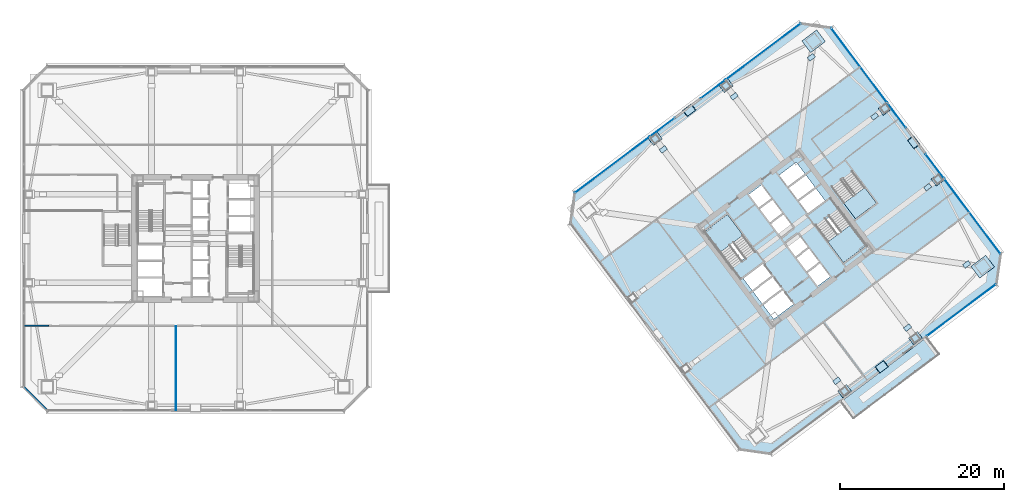
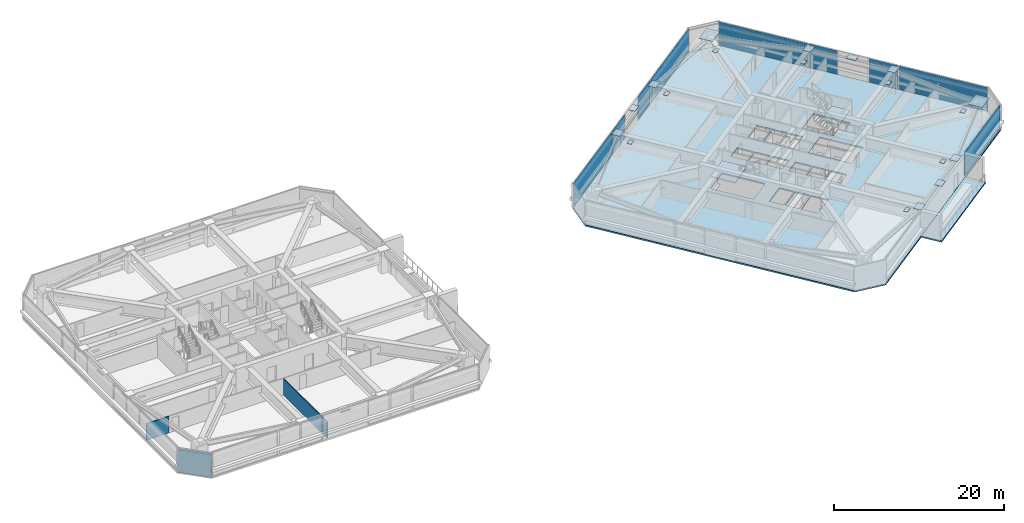
# One storey, part 37 of 49: 31 plates, 5 slabs, 3 walls, 12 elements without a shape of their own.
"""IFC4 building model written with IfcOpenShell, lengths in metres."""

from ifc_helpers import new_model, si_unit, direction, frame, frame_2d, origin, origin_2d, place, context, subcontext, project, spatial, polyline, rectangle, outline, extrude, material, layer, layer_set, type_object, element, aggregate, save


model = new_model("IFC4")

# Units and contexts
model_context = context("Model", 3, precision=1e-05, world=origin(), true_north=direction((0.0, 1.0)))
body_context = subcontext(model_context, "Body", "Model", "MODEL_VIEW")
ifc_project = project(units=[si_unit("LENGTHUNIT", "METRE"), si_unit("AREAUNIT", "SQUARE_METRE"), si_unit("VOLUMEUNIT", "CUBIC_METRE"), si_unit("PLANEANGLEUNIT", "RADIAN"), si_unit("MASSUNIT", "GRAM", prefix="KILO")], contexts=[model_context])

# Site, building, storey
site_placement = place(None, origin())
site = spatial("IfcSite", under=ifc_project, at=site_placement, CompositionType="ELEMENT")
building_placement = place(site_placement, origin())
building = spatial("IfcBuilding", under=site, at=building_placement, Name="Tashvorn Skyway Center", CompositionType="ELEMENT")
storey_placement = place(building_placement, frame((0.0, 0.0, 106.25)))
storey = spatial("IfcBuildingStorey", under=building, at=storey_placement, Name="L28", CompositionType="ELEMENT", Elevation=106.25)

# Curtain wall, plate
ifc_material_1 = material(Name="Thermally broken bronze-anodized aluminium 6063-T6", Category="aluminium")
curtain_wall_type = type_object("IfcCurtainWallType", Name="CW-CW-Z2", PredefinedType="NOTDEFINED", material=ifc_material_1)
curtain_wall_1_placement = place(storey_placement, origin())
curtain_wall_1 = element("IfcCurtainWall", 1, at=curtain_wall_1_placement, inside=storey, type_object=curtain_wall_type, Name="Tower 2 L28 South Curtain Wall L", PredefinedType="NOTDEFINED")
ifc_material_2 = material(Name="Low-E solar-control double insulating safety glass", Category="glass")
ifc_layer_1 = layer(ifc_material_2, 0.0439453125)
ifc_layer_set_1 = layer_set([ifc_layer_1], Name="Low-E solar-control double insulating safety glass")
plate_type_1 = type_object("IfcPlateType", Name="CWP-CW-Z2", PredefinedType="CURTAIN_PANEL", material=ifc_layer_set_1)
plate_1_placement = place(storey_placement, frame((135.47998046875, 23.260009765625, 0.080078125), z_axis=(0.0, 0.0, 1.0), x_axis=(-0.799999999998, -0.600000000002, 0.0)))
plate_1 = element("IfcPlate", 2, at=plate_1_placement, type_object=plate_type_1, Name="CW-Z2 panel 1.1", PredefinedType="CURTAIN_PANEL", context=body_context, shape_type="SweptSolid", body=[
    extrude(rectangle(XDim=10.52001953125, YDim=0.0439453125, at=origin_2d()), origin(), (0.0, 0.0, 1.0), 3.389892578125),
])
aggregate(curtain_wall_1, [plate_1])

curtain_wall_2_placement = place(storey_placement, origin())
curtain_wall_2 = element("IfcCurtainWall", 3, at=curtain_wall_2_placement, inside=storey, type_object=curtain_wall_type, Name="Tower 2 L28 North Unitised Curtain Wall Glazing Group 1", PredefinedType="NOTDEFINED")
plate_2_placement = place(storey_placement, frame((92.85595703125, 40.991943359375, 0.080078125), z_axis=(0.0, 0.0, 1.0), x_axis=(0.799999999998, 0.600000000002, 0.0)))
plate_2 = element("IfcPlate", 4, at=plate_2_placement, type_object=plate_type_1, Name="CW-Z2 panel 1.1", PredefinedType="CURTAIN_PANEL", context=body_context, shape_type="SweptSolid", body=[
    extrude(rectangle(XDim=11.360107421875, YDim=0.0439453125, at=origin_2d()), origin(), (0.0, 0.0, 1.0), 3.389892578125),
])
aggregate(curtain_wall_2, [plate_2])

curtain_wall_3_placement = place(storey_placement, origin())
curtain_wall_3 = element("IfcCurtainWall", 5, at=curtain_wall_3_placement, inside=storey, type_object=curtain_wall_type, Name="Tower 2 L28 North Unitised Curtain Wall Glazing Group 2", PredefinedType="NOTDEFINED")
plate_3_placement = place(storey_placement, frame((99.0, 45.60009765625, 0.080078125), z_axis=(0.0, 0.0, 1.0), x_axis=(0.799999999998, 0.600000000002, 0.0)))
plate_3 = element("IfcPlate", 6, at=plate_3_placement, type_object=plate_type_1, Name="CW-Z2 panel 1.1", PredefinedType="CURTAIN_PANEL", context=body_context, shape_type="SweptSolid", body=[
    extrude(rectangle(XDim=3.679931640625, YDim=0.0439453125, at=origin_2d()), origin(), (0.0, 0.0, 1.0), 3.389892578125),
])
aggregate(curtain_wall_3, [plate_3])

curtain_wall_4_placement = place(storey_placement, origin())
curtain_wall_4 = element("IfcCurtainWall", 7, at=curtain_wall_4_placement, inside=storey, type_object=curtain_wall_type, Name="Tower 2 L28 North Unitised Curtain Wall Glazing Group 3", PredefinedType="NOTDEFINED")
plate_4_placement = place(storey_placement, frame((105.14404296875, 50.2080078125, 0.080078125), z_axis=(0.0, 0.0, 1.0), x_axis=(0.799999999998, 0.600000000002, 0.0)))
plate_4 = element("IfcPlate", 8, at=plate_4_placement, type_object=plate_type_1, Name="CW-Z2 panel 1.1", PredefinedType="CURTAIN_PANEL", context=body_context, shape_type="SweptSolid", body=[
    extrude(rectangle(XDim=3.679931640625, YDim=0.0439453125, at=origin_2d()), origin(), (0.0, 0.0, 1.0), 3.389892578125),
])
aggregate(curtain_wall_4, [plate_4])

curtain_wall_5_placement = place(storey_placement, origin())
curtain_wall_5 = element("IfcCurtainWall", 9, at=curtain_wall_5_placement, inside=storey, type_object=curtain_wall_type, Name="Tower 2 L28 North Unitised Curtain Wall Glazing Group 4", PredefinedType="NOTDEFINED")
plate_5_placement = place(storey_placement, frame((111.2880859375, 54.81591796875, 0.080078125), z_axis=(0.0, 0.0, 1.0), x_axis=(0.799999999998, 0.600000000002, 0.0)))
plate_5 = element("IfcPlate", 10, at=plate_5_placement, type_object=plate_type_1, Name="CW-Z2 panel 1.1", PredefinedType="CURTAIN_PANEL", context=body_context, shape_type="SweptSolid", body=[
    extrude(rectangle(XDim=11.360107421875, YDim=0.0439453125, at=origin_2d()), origin(), (0.0, 0.0, 1.0), 3.389892578125),
])
aggregate(curtain_wall_5, [plate_5])

curtain_wall_6_placement = place(storey_placement, origin())
curtain_wall_6 = element("IfcCurtainWall", 11, at=curtain_wall_6_placement, inside=storey, type_object=curtain_wall_type, Name="Tower 2 L28 East Unitised Curtain Wall Glazing Group 1", PredefinedType="NOTDEFINED")
plate_6_placement = place(storey_placement, frame((122.991943359375, 53.14404296875, 0.080078125), z_axis=(0.0, 0.0, 1.0), x_axis=(0.600000000002, -0.799999999998, 0.0)))
plate_6 = element("IfcPlate", 12, at=plate_6_placement, type_object=plate_type_1, Name="CW-Z2 panel 1.1", PredefinedType="CURTAIN_PANEL", context=body_context, shape_type="SweptSolid", body=[
    extrude(rectangle(XDim=11.360107421875, YDim=0.0439453125, at=origin_2d()), origin(), (0.0, 0.0, 1.0), 3.389892578125),
])
aggregate(curtain_wall_6, [plate_6])

curtain_wall_7_placement = place(storey_placement, origin())
curtain_wall_7 = element("IfcCurtainWall", 13, at=curtain_wall_7_placement, inside=storey, type_object=curtain_wall_type, Name="Tower 2 L28 East Unitised Curtain Wall Glazing Group 2", PredefinedType="NOTDEFINED")
plate_7_placement = place(storey_placement, frame((127.60009765625, 47.0, 0.080078125), z_axis=(0.0, 0.0, 1.0), x_axis=(0.600000000002, -0.799999999998, 0.0)))
plate_7 = element("IfcPlate", 14, at=plate_7_placement, type_object=plate_type_1, Name="CW-Z2 panel 1.1", PredefinedType="CURTAIN_PANEL", context=body_context, shape_type="SweptSolid", body=[
    extrude(rectangle(XDim=3.679931640625, YDim=0.0439453125, at=origin_2d()), origin(), (0.0, 0.0, 1.0), 3.389892578125),
])
aggregate(curtain_wall_7, [plate_7])

curtain_wall_8_placement = place(storey_placement, origin())
curtain_wall_8 = element("IfcCurtainWall", 15, at=curtain_wall_8_placement, inside=storey, type_object=curtain_wall_type, Name="Tower 2 L28 East Unitised Curtain Wall Glazing Group 3", PredefinedType="NOTDEFINED")
plate_8_placement = place(storey_placement, frame((132.2080078125, 40.85595703125, 0.080078125), z_axis=(0.0, 0.0, 1.0), x_axis=(0.600000000002, -0.799999999998, 0.0)))
plate_8 = element("IfcPlate", 16, at=plate_8_placement, type_object=plate_type_1, Name="CW-Z2 panel 1.1", PredefinedType="CURTAIN_PANEL", context=body_context, shape_type="SweptSolid", body=[
    extrude(rectangle(XDim=3.679931640625, YDim=0.0439453125, at=origin_2d()), origin(), (0.0, 0.0, 1.0), 3.389892578125),
])
aggregate(curtain_wall_8, [plate_8])

curtain_wall_9_placement = place(storey_placement, origin())
curtain_wall_9 = element("IfcCurtainWall", 17, at=curtain_wall_9_placement, inside=storey, type_object=curtain_wall_type, Name="Tower 2 L28 East Unitised Curtain Wall Glazing Group 4", PredefinedType="NOTDEFINED")
plate_9_placement = place(storey_placement, frame((136.81591796875, 34.7119140625, 0.080078125), z_axis=(0.0, 0.0, 1.0), x_axis=(0.600000000002, -0.799999999998, 0.0)))
plate_9 = element("IfcPlate", 18, at=plate_9_placement, type_object=plate_type_1, Name="CW-Z2 panel 1.1", PredefinedType="CURTAIN_PANEL", context=body_context, shape_type="SweptSolid", body=[
    extrude(rectangle(XDim=11.360107421875, YDim=0.0439453125, at=origin_2d()), origin(), (0.0, 0.0, 1.0), 3.389892578125),
])
aggregate(curtain_wall_9, [plate_9])

# Plates
ifc_material_3 = material(Name="Steel ASTM A572 Grade 50", Category="steel")
ifc_layer_2 = layer(ifc_material_3, 0.034912109375)
ifc_layer_set_2 = layer_set([ifc_layer_2], Name="Steel ASTM A572 Grade 50")
plate_type_2 = type_object("IfcPlateType", Name="PLT-CAP-35", PredefinedType="USERDEFINED", material=ifc_layer_set_2)
for number, where, z_axis, x_axis, name in (
    (19, (125.748046875, 16.3359375, 3.2373046875), (0.0, 0.0, 1.0), (0.799999996291, 0.600000004945, 0.0), "Tower 2 Zone 2 S Hollow-Section End Cap Plate"),
    (20, (129.6640625, 43.748046875, 3.2373046875), (0.0, 0.0, 1.0), (-0.600000004945, 0.799999996291, 0.0), "Tower 2 Zone 2 E Hollow-Section End Cap Plate"),
    (21, (102.251953125, 47.6640625, 3.2373046875), (0.0, 0.0, 1.0), (-0.799999996291, -0.600000004945, 0.0), "Tower 2 Zone 2 N Hollow-Section End Cap Plate"),
):
    element("IfcPlate", number, at=place(storey_placement, frame(where, z_axis=z_axis, x_axis=x_axis)), inside=storey, type_object=plate_type_2, Name=name, ObjectType="END PLATE", PredefinedType="USERDEFINED", context=body_context, shape_type="SweptSolid", body=[
        extrude(rectangle(XDim=1.199951171875, YDim=0.919921875, at=origin_2d()), origin(), (0.0, 0.0, 1.0), 0.034912109375),
    ])
ifc_layer_3 = layer(ifc_material_3, 0.050048828125)
ifc_layer_set_3 = layer_set([ifc_layer_3], Name="Steel ASTM A572 Grade 50")
plate_type_3 = type_object("IfcPlateType", Name="PLT-ENDCAP-1650", PredefinedType="USERDEFINED", material=ifc_layer_set_3)
for number, where, z_axis, x_axis, name in (
    (22, (138.080078125, 28.56005859375, 3.23974609375), (0.0, 0.0, 1.0), (0.799999996291, 0.600000004945, 0.0), "Tower 2 L28 MC-SE Setback Cap End Plate"),
    (23, (117.43994140625, 56.080078125, 3.23974609375), (0.0, 0.0, 1.0), (0.799999996291, 0.600000004945, 0.0), "Tower 2 L28 MC-NE Setback Cap End Plate"),
):
    element("IfcPlate", number, at=place(storey_placement, frame(where, z_axis=z_axis, x_axis=x_axis)), inside=storey, type_object=plate_type_3, Name=name, ObjectType="END PLATE", PredefinedType="USERDEFINED", context=body_context, shape_type="SweptSolid", body=[
        extrude(rectangle(XDim=2.25, YDim=1.780029296875, at=origin_2d()), origin(), (0.0, 0.0, 1.0), 0.050048828125),
    ])
ifc_layer_4 = layer(ifc_material_3, 0.050048828125)
ifc_layer_set_4 = layer_set([ifc_layer_4], Name="Steel ASTM A572 Grade 50")
plate_type_4 = type_object("IfcPlateType", Name="PLT-ENDCAP-900", PredefinedType="USERDEFINED", material=ifc_layer_set_4)
for number, where, z_axis, x_axis, name in (
    (24, (121.22998046875, 13.360107421875, 3.23974609375), (0.0, 0.0, 1.0), (0.799999996291, 0.600000004945, 0.0), "Tower 2 L28 FC-S1 Setback Cap End Plate"),
    (25, (129.8701171875, 19.840087890625, 3.23974609375), (0.0, 0.0, 1.0), (0.799999996291, 0.600000004945, 0.0), "Tower 2 L28 FC-S2 Setback Cap End Plate"),
    (26, (132.639892578125, 39.22998046875, 3.23974609375), (0.0, 0.0, 1.0), (0.799999996291, 0.600000004945, 0.0), "Tower 2 L28 FC-E1 Setback Cap End Plate"),
    (27, (126.159912109375, 47.8701171875, 3.23974609375), (0.0, 0.0, 1.0), (0.799999996291, 0.600000004945, 0.0), "Tower 2 L28 FC-E2 Setback Cap End Plate"),
    (28, (106.77001953125, 50.639892578125, 3.23974609375), (0.0, 0.0, 1.0), (0.799999996291, 0.600000004945, 0.0), "Tower 2 L28 FC-N1 Setback Cap End Plate"),
    (29, (98.1298828125, 44.159912109375, 3.23974609375), (0.0, 0.0, 1.0), (0.799999996291, 0.600000004945, 0.0), "Tower 2 L28 FC-N2 Setback Cap End Plate"),
):
    element("IfcPlate", number, at=place(storey_placement, frame(where, z_axis=z_axis, x_axis=x_axis)), inside=storey, type_object=plate_type_4, Name=name, ObjectType="END PLATE", PredefinedType="USERDEFINED", context=body_context, shape_type="SweptSolid", body=[
        extrude(rectangle(XDim=1.35009765625, YDim=1.050048828125, at=origin_2d()), origin(), (0.0, 0.0, 1.0), 0.050048828125),
    ])
ifc_layer_5 = layer(ifc_material_3, 0.044921875)
ifc_layer_set_5 = layer_set([ifc_layer_5], Name="Steel ASTM A572 Grade 50")
plate_type_5 = type_object("IfcPlateType", Name="PLT-GUSSET-45", PredefinedType="USERDEFINED", material=ifc_layer_set_5)
for number, where, z_axis, x_axis, name in (
    (30, (125.748046875, 16.3359375, 3.192626953125), (0.0, 0.0, 1.0), (0.799999996291, 0.600000004945, 0.0), "Tower 2 Zone 2 S Apex Node Gusset Plate"),
    (31, (129.6640625, 43.748046875, 3.192626953125), (0.0, 0.0, 1.0), (-0.600000004945, 0.799999996291, 0.0), "Tower 2 Zone 2 E Apex Node Gusset Plate"),
    (32, (102.251953125, 47.6640625, 3.192626953125), (0.0, 0.0, 1.0), (-0.799999996291, -0.600000004945, 0.0), "Tower 2 Zone 2 N Apex Node Gusset Plate"),
):
    element("IfcPlate", number, at=place(storey_placement, frame(where, z_axis=z_axis, x_axis=x_axis)), inside=storey, type_object=plate_type_5, Name=name, ObjectType="GUSSET PLATE", PredefinedType="USERDEFINED", context=body_context, shape_type="SweptSolid", body=[
        extrude(rectangle(XDim=1.35009765625, YDim=0.949951171875, at=origin_2d()), origin(), (0.0, 0.0, 1.0), 0.044921875),
    ])
ifc_layer_6 = layer(ifc_material_3, 0.030029296875)
ifc_layer_set_6 = layer_set([ifc_layer_6], Name="Steel ASTM A572 Grade 50")
plate_type_6 = type_object("IfcPlateType", Name="PLT-STIFF-30", PredefinedType="SHEET", material=ifc_layer_set_6)
for number, where, z_axis, x_axis, name in (
    (33, (136.1201171875, 28.840087890625, 2.3349609375), (0.0, 0.0, 1.0), (0.799999996291, 0.600000004945, 0.0), "Tower 2 L28 Transfer Bearing Stiffener MC-SE"),
    (34, (117.159912109375, 54.1201171875, 2.3349609375), (0.0, 0.0, 1.0), (0.799999996291, 0.600000004945, 0.0), "Tower 2 L28 Transfer Bearing Stiffener MC-NE"),
    (35, (120.27001953125, 14.639892578125, 2.3349609375), (0.0, 0.0, 1.0), (0.799999996291, 0.600000004945, 0.0), "Tower 2 L28 Transfer Bearing Stiffener FC-S1"),
    (36, (128.909912109375, 21.1201171875, 2.3349609375), (0.0, 0.0, 1.0), (0.799999996291, 0.600000004945, 0.0), "Tower 2 L28 Transfer Bearing Stiffener FC-S2"),
    (37, (131.360107421875, 38.27001953125, 2.3349609375), (0.0, 0.0, 1.0), (0.799999996291, 0.600000004945, 0.0), "Tower 2 L28 Transfer Bearing Stiffener FC-E1"),
    (38, (124.8798828125, 46.909912109375, 2.3349609375), (0.0, 0.0, 1.0), (0.799999996291, 0.600000004945, 0.0), "Tower 2 L28 Transfer Bearing Stiffener FC-E2"),
    (39, (107.72998046875, 49.360107421875, 2.3349609375), (0.0, 0.0, 1.0), (0.799999996291, 0.600000004945, 0.0), "Tower 2 L28 Transfer Bearing Stiffener FC-N1"),
    (40, (99.090087890625, 42.8798828125, 2.3349609375), (0.0, 0.0, 1.0), (0.799999996291, 0.600000004945, 0.0), "Tower 2 L28 Transfer Bearing Stiffener FC-N2"),
):
    element("IfcPlate", number, at=place(storey_placement, frame(where, z_axis=z_axis, x_axis=x_axis)), inside=storey, type_object=plate_type_6, Name=name, PredefinedType="SHEET", context=body_context, shape_type="SweptSolid", body=[
        extrude(rectangle(XDim=0.85009765625, YDim=0.550048828125, at=origin_2d()), origin(), (0.0, 0.0, 1.0), 0.030029296875),
    ])

# Slab
ifc_material_4 = material(Name="Concrete C40/50", Category="concrete")
ifc_layer_7 = layer(ifc_material_4, 0.199951171875)
ifc_layer_set_7 = layer_set([ifc_layer_7], Name="Concrete C40/50")
slab_type_1 = type_object("IfcSlabType", Name="SLAB-FLR-200", PredefinedType="FLOOR", material=ifc_layer_set_7)
slab_1_placement = place(storey_placement, frame((0.0, 0.0, -0.199951171875)))
element("IfcSlab", 41, at=slab_1_placement, inside=storey, type_object=slab_type_1, Name="Tower 2 L28 Composite Floor Slab", PredefinedType="FLOOR", context=body_context, shape_type="SweptSolid", body=[
    extrude(outline(polyline([(112.239990234375, 5.679931640625), (139.760009765625, 26.320068359375), (140.320068359375, 30.239990234375), (119.679931640625, 57.760009765625), (115.760009765625, 58.320068359375), (88.239990234375, 37.679931640625), (87.679931640625, 33.760009765625), (108.320068359375, 6.239990234375), (112.239990234375, 5.679931640625)]), holes=[polyline([(110.23193359375, 30.52392578125), (106.919921875, 34.93994140625), (104.135986328125, 32.85205078125), (107.447998046875, 28.43603515625), (110.23193359375, 30.52392578125)]), polyline([(117.76806640625, 33.47607421875), (121.080078125, 29.06005859375), (123.864013671875, 31.14794921875), (120.552001953125, 35.56396484375), (117.76806640625, 33.47607421875)]), polyline([(119.7119140625, 38.18408203125), (122.5439453125, 34.407958984375), (125.10400390625, 36.327880859375), (122.27197265625, 40.10400390625), (119.7119140625, 38.18408203125)]), polyline([(109.949951171875, 25.64990234375), (112.35009765625, 27.449951171875), (111.239990234375, 28.929931640625), (108.840087890625, 27.1298828125), (109.949951171875, 25.64990234375)]), polyline([(111.14990234375, 24.050048828125), (113.550048828125, 25.85009765625), (112.43994140625, 27.330078125), (110.0400390625, 25.530029296875), (111.14990234375, 24.050048828125)]), polyline([(112.56005859375, 22.169921875), (114.9599609375, 23.969970703125), (113.669921875, 25.68994140625), (111.27001953125, 23.889892578125), (112.56005859375, 22.169921875)]), polyline([(117.919921875, 26.18994140625), (119.43994140625, 27.330078125), (118.2099609375, 28.969970703125), (116.68994140625, 27.830078125), (117.919921875, 26.18994140625)]), polyline([(116.570068359375, 27.989990234375), (118.090087890625, 29.1298828125), (116.860107421875, 30.77001953125), (115.340087890625, 29.6298828125), (116.570068359375, 27.989990234375)]), polyline([(115.219970703125, 29.7900390625), (116.739990234375, 30.929931640625), (115.510009765625, 32.570068359375), (113.989990234375, 31.429931640625), (115.219970703125, 29.7900390625)]), polyline([(113.449951171875, 32.14990234375), (114.969970703125, 33.2900390625), (113.739990234375, 34.929931640625), (112.219970703125, 33.7900390625), (113.449951171875, 32.14990234375)]), polyline([(112.10009765625, 33.949951171875), (113.6201171875, 35.090087890625), (112.389892578125, 36.72998046875), (110.8701171875, 35.590087890625), (112.10009765625, 33.949951171875)]), polyline([(110.75, 35.75), (112.27001953125, 36.889892578125), (111.0400390625, 38.530029296875), (109.52001953125, 37.389892578125), (110.75, 35.75)]), polyline([(116.760009765625, 35.070068359375), (118.840087890625, 36.6298828125), (117.72998046875, 38.110107421875), (115.64990234375, 36.550048828125), (116.760009765625, 35.070068359375)]), polyline([(115.530029296875, 36.7099609375), (117.610107421875, 38.27001953125), (116.5, 39.75), (114.419921875, 38.18994140625), (115.530029296875, 36.7099609375)]), polyline([(114.300048828125, 38.35009765625), (116.3798828125, 39.909912109375), (115.330078125, 41.31005859375), (113.25, 39.75), (114.300048828125, 38.35009765625)])]), origin(), (0.0, 0.0, 1.0), 0.199951171875),
])

# Stair, slab
stair_type = type_object("IfcStairType", Name="STAIR-CORE-1500", PredefinedType="HALF_TURN_STAIR", material=ifc_material_4)
stair_1_placement = place(storey_placement, origin())
stair_1 = element("IfcStair", 42, at=stair_1_placement, inside=storey, type_object=stair_type, Name="L28 Tower 2 Exit Stair 1", PredefinedType="HALF_TURN_STAIR")
ifc_layer_8 = layer(ifc_material_4, 0.199951171875)
ifc_layer_set_8 = layer_set([ifc_layer_8], Name="Concrete C40/50")
slab_type_2 = type_object("IfcSlabType", Name="SLAB-LAND-200", PredefinedType="LANDING", material=ifc_layer_set_8)
slab_2_placement = place(storey_placement, frame((0.0, 0.0, 1.574951171875)))
slab_2 = element("IfcSlab", 43, at=slab_2_placement, type_object=slab_type_2, Name="ST-T2-1 landing 1", PredefinedType="LANDING", context=body_context, shape_type="SweptSolid", body=[
    extrude(outline(polyline([(108.82080078125, 32.405517578125), (106.919921875, 34.93994140625), (104.135986328125, 32.85205078125), (106.036865234375, 30.317626953125), (108.82080078125, 32.405517578125)])), origin(), (0.0, 0.0, 1.0), 0.199951171875),
])
aggregate(stair_1, [slab_2])

stair_2_placement = place(storey_placement, origin())
stair_2 = element("IfcStair", 44, at=stair_2_placement, inside=storey, type_object=stair_type, Name="L28 Tower 2 Exit Stair 2", PredefinedType="HALF_TURN_STAIR")
slab_3_placement = place(storey_placement, frame((0.0, 0.0, 1.574951171875)))
slab_3 = element("IfcSlab", 45, at=slab_3_placement, type_object=slab_type_2, Name="ST-T2-2 landing 1", PredefinedType="LANDING", context=body_context, shape_type="SweptSolid", body=[
    extrude(outline(polyline([(119.17919921875, 31.594482421875), (121.080078125, 29.06005859375), (123.864013671875, 31.14794921875), (121.963134765625, 33.682373046875), (119.17919921875, 31.594482421875)])), origin(), (0.0, 0.0, 1.0), 0.199951171875),
])
aggregate(stair_2, [slab_3])

stair_3_placement = place(storey_placement, origin())
stair_3 = element("IfcStair", 46, at=stair_3_placement, inside=storey, type_object=stair_type, Name="L28 Tower 2 Exit Stair 3", PredefinedType="HALF_TURN_STAIR")
slab_4_placement = place(storey_placement, frame((0.0, 0.0, 1.574951171875)))
slab_4 = element("IfcSlab", 47, at=slab_4_placement, type_object=slab_type_2, Name="ST-T2-3 landing 1", PredefinedType="LANDING", context=body_context, shape_type="SweptSolid", body=[
    extrude(outline(polyline([(121.123291015625, 36.302490234375), (122.5439453125, 34.407958984375), (125.10400390625, 36.327880859375), (123.68310546875, 38.222412109375), (121.123291015625, 36.302490234375)])), origin(), (0.0, 0.0, 1.0), 0.199951171875),
])
aggregate(stair_3, [slab_4])

# Slab
ifc_layer_9 = layer(ifc_material_4, 0.179931640625)
ifc_layer_set_9 = layer_set([ifc_layer_9], Name="Concrete C40/50")
slab_type_3 = type_object("IfcSlabType", Name="SLAB-TERR-200", PredefinedType="FLOOR", material=ifc_layer_set_9)
slab_5_placement = place(storey_placement, frame((0.0, 0.0, -0.199951171875)))
element("IfcSlab", 48, at=slab_5_placement, inside=storey, type_object=slab_type_3, Name="Tower 2 L28 Sky Garden Slab", PredefinedType="FLOOR", context=body_context, shape_type="SweptSolid", body=[
    extrude(outline(polyline([(122.280029296875, 9.9599609375), (132.840087890625, 17.8798828125), (131.27392578125, 19.968017578125), (120.714111328125, 12.048095703125), (122.280029296875, 9.9599609375)])), origin(), (0.0, 0.0, 1.0), 0.199951171875),
])

# Walls
ifc_material_5 = material(Name="Precast concrete C40/50", Category="concrete")
ifc_layer_10 = layer(ifc_material_5, 0.280029296875)
ifc_layer_set_10 = layer_set([ifc_layer_10], Name="Precast concrete C40/50")
wall_type_1 = type_object("IfcWallType", Name="WALL-EXT-280", PredefinedType="SOLIDWALL", material=ifc_layer_set_10)
wall_1_placement = place(storey_placement, frame((23.89990234375, 11.0, 0.0), z_axis=(0.0, 0.0, 1.0), x_axis=(-0.707106781187, 0.707106781187, 0.0)))
element("IfcWall", 49, at=wall_1_placement, inside=storey, type_object=wall_type_1, Name="Tower 1 L28 SW Precast Chamfer Wall", PredefinedType="SOLIDWALL", context=body_context, shape_type="SweptSolid", body=[
    extrude(rectangle(XDim=4.10107421875, YDim=0.280029296875, at=frame_2d((2.050537109375, 0.0))), origin(), (0.0, 0.0, 1.0), 3.25),
])
ifc_material_6 = material(Name="Gypsum board on cold-formed steel stud framing", Category="steel")
ifc_layer_11 = layer(ifc_material_6, 0.110107421875)
ifc_layer_set_11 = layer_set([ifc_layer_11], Name="Gypsum board on cold-formed steel stud framing")
wall_type_2 = type_object("IfcWallType", Name="WALL-PART-110", PredefinedType="PARTITIONING", material=ifc_layer_set_11)
wall_2_placement = place(storey_placement, frame((39.60009765625, 11.02001953125, 0.0), z_axis=(0.0, 0.0, 1.0), x_axis=(0.0, 1.0, 0.0)))
element("IfcWall", 50, at=wall_2_placement, inside=storey, type_object=wall_type_2, Name="Tower 1 L28 South Suite Partition 1", PredefinedType="PARTITIONING", context=body_context, shape_type="SweptSolid", body=[
    extrude(rectangle(XDim=10.25, YDim=0.110107421875, at=frame_2d((5.125, 0.0))), origin(), (0.0, 0.0, 1.0), 2.39306640625),
])
ifc_layer_12 = layer(ifc_material_6, 0.135009765625)
ifc_layer_set_12 = layer_set([ifc_layer_12], Name="Gypsum board on cold-formed steel stud framing")
wall_type_3 = type_object("IfcWallType", Name="WALL-PART-135", PredefinedType="PARTITIONING", material=ifc_layer_set_12)
wall_3_placement = place(storey_placement, frame((21.02001953125, 21.35009765625, 0.0), z_axis=(0.0, 0.0, 1.0), x_axis=(1.0, 0.0, 0.0)))
element("IfcWall", 51, at=wall_3_placement, inside=storey, type_object=wall_type_3, Name="Tower 1 L28 South-West Suite North Wall", PredefinedType="PARTITIONING", context=body_context, shape_type="SweptSolid", body=[
    extrude(rectangle(XDim=3.030029296875, YDim=0.135009765625, at=frame_2d((1.51513671875, 0.0))), origin(), (0.0, 0.0, 1.0), 2.39306640625),
])

save(model, "model.ifc")
